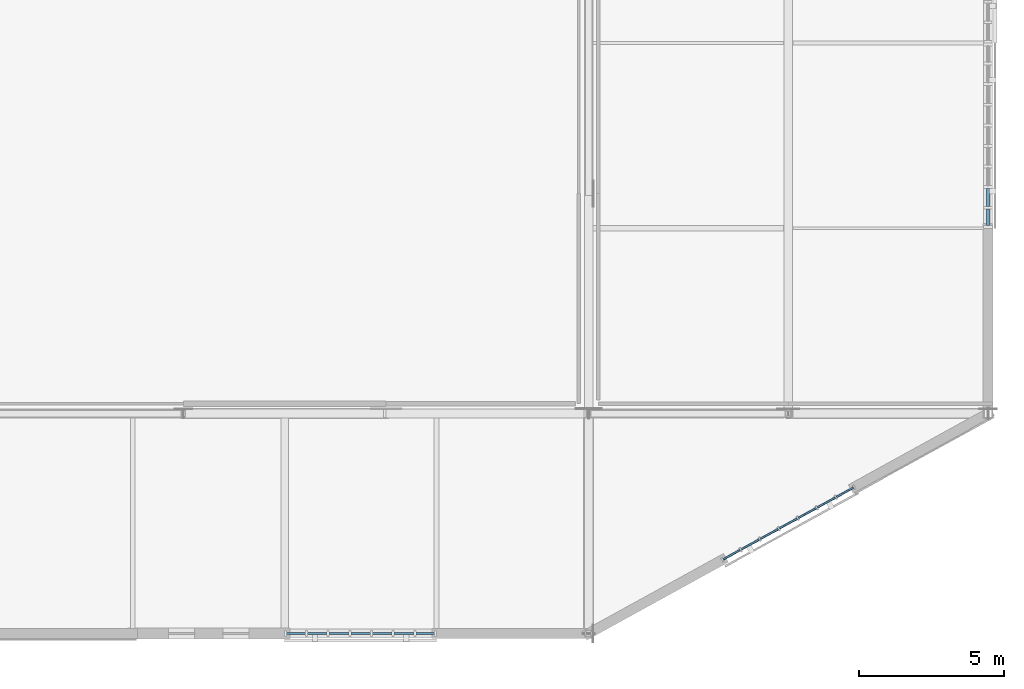
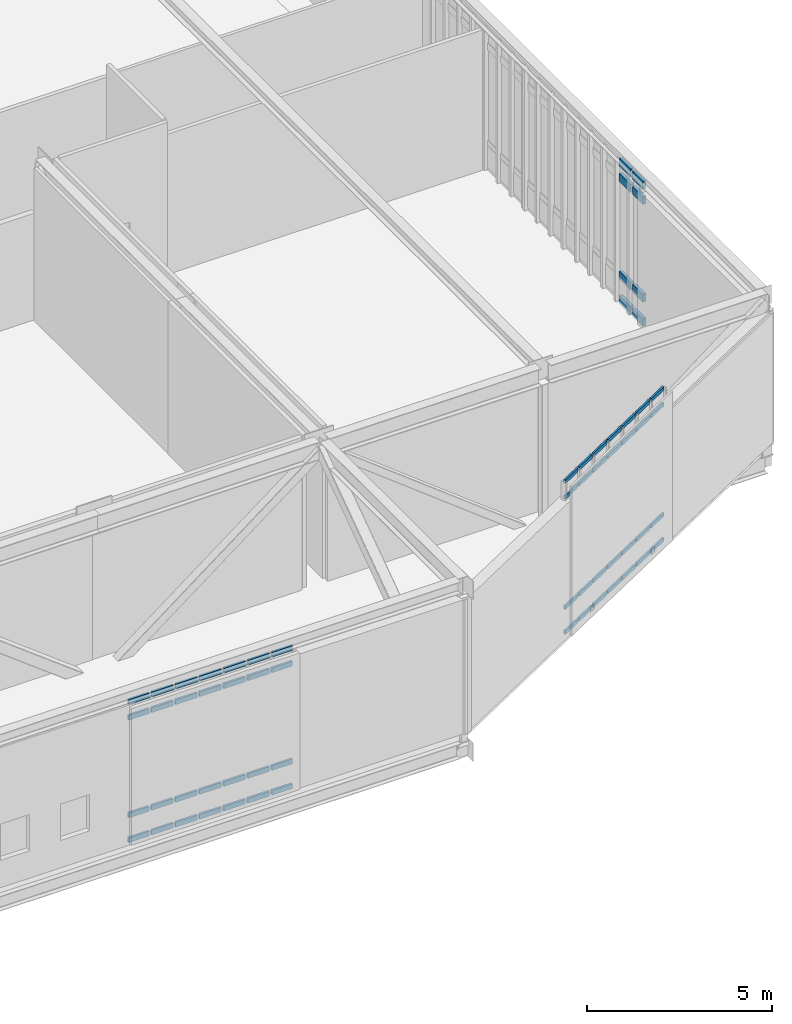
# One storey, part 63 of 135: 64 members, 3 elements without a shape of their own.
"""IFC4 building model written with IfcOpenShell, lengths in metres."""

from ifc_helpers import new_model, si_unit, direction, frame, origin, origin_2d, place, context, subcontext, project, spatial, rectangle, extrude, material, material_profile, profile_set, type_object, element, aggregate, save


model = new_model("IFC4")

# Units and contexts
model_context = context("Model", 3, precision=1e-05, world=origin(), true_north=direction((0.0, 1.0)))
body_context = subcontext(model_context, "Body", "Model", "MODEL_VIEW")
ifc_project = project(units=[si_unit("LENGTHUNIT", "METRE"), si_unit("AREAUNIT", "SQUARE_METRE"), si_unit("VOLUMEUNIT", "CUBIC_METRE"), si_unit("PLANEANGLEUNIT", "RADIAN"), si_unit("MASSUNIT", "GRAM", prefix="KILO")], contexts=[model_context])

# Site, building, storey
site_placement = place(None, origin())
site = spatial("IfcSite", under=ifc_project, at=site_placement, CompositionType="ELEMENT")
building_placement = place(site_placement, origin())
building = spatial("IfcBuilding", under=site, at=building_placement, Name="Larkvane Passage Sports Hall", CompositionType="ELEMENT")
storey_placement = place(building_placement, frame((0.0, 0.0, 16.800048828125)))
storey = spatial("IfcBuildingStorey", under=building, at=storey_placement, Name="L03", CompositionType="ELEMENT", Elevation=16.800048828125)

# Curtain wall, members
ifc_material_1 = material(Name="Thermally broken aluminium and low-E glazing", Category="aluminium")
curtain_wall_type_1 = type_object("IfcCurtainWallType", Name="CW-CLINIC", PredefinedType="USERDEFINED", material=ifc_material_1)
curtain_wall_1_placement = place(storey_placement, origin())
curtain_wall_1 = element("IfcCurtainWall", 1, at=curtain_wall_1_placement, inside=storey, type_object=curtain_wall_type_1, Name="Curtain wall CW5-L03-115", ObjectType="UNITISED CURTAIN WALL", PredefinedType="USERDEFINED")
ifc_material_2 = material(Name="Anodised aluminium 6063-T6", Category="aluminium")
ifc_material_profile_1 = material_profile(ifc_material_2, rectangle(XDim=0.10009765625, YDim=0.260009765625, at=origin_2d()), Name="ALU-TRN-100x260")
ifc_profile_set_1 = profile_set([ifc_material_profile_1], Name="Anodised aluminium 6063-T6")
member_type_1 = type_object("IfcMemberType", Name="CW-TRN-100x260", PredefinedType="USERDEFINED", material=ifc_profile_set_1)
member_1_placement = place(storey_placement, frame((166.39990234375, 15.372314453125, 0.050048828125), z_axis=(0.0, -1.0, 0.0), x_axis=(1.0, 0.0, 0.0)))
member_1 = element("IfcMember", 2, at=member_1_placement, type_object=member_type_1, Name="CW-05 transom 8.1", ObjectType="TRANSOM", PredefinedType="USERDEFINED", context=body_context, shape_type="SweptSolid", body=[
    extrude(rectangle(XDim=0.10009765625, YDim=0.260009765625, at=origin_2d()), origin(), (0.0, 0.0, 1.0), 0.611083984375),
])
member_2_placement = place(storey_placement, frame((166.39990234375, 15.372314453125, 0.849853515625), z_axis=(0.0, -1.0, 0.0), x_axis=(1.0, 0.0, 0.0)))
member_2 = element("IfcMember", 3, at=member_2_placement, type_object=member_type_1, Name="CW-05 transom 8.2", ObjectType="TRANSOM", PredefinedType="USERDEFINED", context=body_context, shape_type="SweptSolid", body=[
    extrude(rectangle(XDim=0.10009765625, YDim=0.260009765625, at=origin_2d()), origin(), (0.0, 0.0, 1.0), 0.611083984375),
])
member_3_placement = place(storey_placement, frame((166.39990234375, 15.372314453125, 4.06787109375), z_axis=(0.0, -1.0, 0.0), x_axis=(1.0, 0.0, 0.0)))
member_3 = element("IfcMember", 4, at=member_3_placement, type_object=member_type_1, Name="CW-05 transom 8.3", ObjectType="TRANSOM", PredefinedType="USERDEFINED", context=body_context, shape_type="SweptSolid", body=[
    extrude(rectangle(XDim=0.10009765625, YDim=0.260009765625, at=origin_2d()), origin(), (0.0, 0.0, 1.0), 0.611083984375),
])
member_4_placement = place(storey_placement, frame((166.39990234375, 15.372314453125, 4.56787109375), z_axis=(0.0, -1.0, 0.0), x_axis=(1.0, 0.0, 0.0)))
member_4 = element("IfcMember", 5, at=member_4_placement, type_object=member_type_1, Name="CW-05 transom 8.4", ObjectType="TRANSOM", PredefinedType="USERDEFINED", context=body_context, shape_type="SweptSolid", body=[
    extrude(rectangle(XDim=0.10009765625, YDim=0.260009765625, at=origin_2d()), origin(), (0.0, 0.0, 1.0), 0.611083984375),
])
member_5_placement = place(storey_placement, frame((166.39990234375, 14.6611328125, 0.050048828125), z_axis=(0.0, -1.0, 0.0), x_axis=(1.0, 0.0, 0.0)))
member_5 = element("IfcMember", 6, at=member_5_placement, type_object=member_type_1, Name="CW-05 transom 9.1", ObjectType="TRANSOM", PredefinedType="USERDEFINED", context=body_context, shape_type="SweptSolid", body=[
    extrude(rectangle(XDim=0.10009765625, YDim=0.260009765625, at=origin_2d()), origin(), (0.0, 0.0, 1.0), 0.56103515625),
])
member_6_placement = place(storey_placement, frame((166.39990234375, 14.6611328125, 0.849853515625), z_axis=(0.0, -1.0, 0.0), x_axis=(1.0, 0.0, 0.0)))
member_6 = element("IfcMember", 7, at=member_6_placement, type_object=member_type_1, Name="CW-05 transom 9.2", ObjectType="TRANSOM", PredefinedType="USERDEFINED", context=body_context, shape_type="SweptSolid", body=[
    extrude(rectangle(XDim=0.10009765625, YDim=0.260009765625, at=origin_2d()), origin(), (0.0, 0.0, 1.0), 0.56103515625),
])
member_7_placement = place(storey_placement, frame((166.39990234375, 14.6611328125, 4.06787109375), z_axis=(0.0, -1.0, 0.0), x_axis=(1.0, 0.0, 0.0)))
member_7 = element("IfcMember", 8, at=member_7_placement, type_object=member_type_1, Name="CW-05 transom 9.3", ObjectType="TRANSOM", PredefinedType="USERDEFINED", context=body_context, shape_type="SweptSolid", body=[
    extrude(rectangle(XDim=0.10009765625, YDim=0.260009765625, at=origin_2d()), origin(), (0.0, 0.0, 1.0), 0.56103515625),
])
member_8_placement = place(storey_placement, frame((166.39990234375, 14.6611328125, 4.56787109375), z_axis=(0.0, -1.0, 0.0), x_axis=(1.0, 0.0, 0.0)))
member_8 = element("IfcMember", 9, at=member_8_placement, type_object=member_type_1, Name="CW-05 transom 9.4", ObjectType="TRANSOM", PredefinedType="USERDEFINED", context=body_context, shape_type="SweptSolid", body=[
    extrude(rectangle(XDim=0.10009765625, YDim=0.260009765625, at=origin_2d()), origin(), (0.0, 0.0, 1.0), 0.56103515625),
])
aggregate(curtain_wall_1, [member_1, member_2, member_3, member_4, member_5, member_6, member_7, member_8])

curtain_wall_type_2 = type_object("IfcCurtainWallType", Name="CW-UNIT-COURT", PredefinedType="USERDEFINED", material=ifc_material_1)
curtain_wall_2_placement = place(storey_placement, origin())
curtain_wall_2 = element("IfcCurtainWall", 10, at=curtain_wall_2_placement, inside=storey, type_object=curtain_wall_type_2, Name="Curtain wall CW5-L03-116", ObjectType="UNITISED CURTAIN WALL", PredefinedType="USERDEFINED")
ifc_material_profile_2 = material_profile(ifc_material_2, rectangle(XDim=0.06005859375, YDim=0.1201171875, at=origin_2d()), Name="ALU-TRN-60x120")
ifc_profile_set_2 = profile_set([ifc_material_profile_2], Name="Anodised aluminium 6063-T6")
member_type_2 = type_object("IfcMemberType", Name="CW-TRN-60x120", PredefinedType="USERDEFINED", material=ifc_profile_set_2)
member_9_placement = place(storey_placement, frame((161.74755859375, 5.037841796875, 0.030029296875), z_axis=(-0.875895659325, -0.482500563706, 0.0), x_axis=(0.482500563706, -0.875895659325, 0.0)))
member_9 = element("IfcMember", 11, at=member_9_placement, type_object=member_type_2, Name="CW-01 transom 1.1", ObjectType="TRANSOM", PredefinedType="USERDEFINED", context=body_context, shape_type="SweptSolid", body=[
    extrude(rectangle(XDim=0.06005859375, YDim=0.1201171875, at=origin_2d()), origin(), (0.0, 0.0, 1.0), 0.660400390625),
])
member_10_placement = place(storey_placement, frame((161.74755859375, 5.037841796875, 0.849853515625), z_axis=(-0.875895659325, -0.482500563706, 0.0), x_axis=(0.482500563706, -0.875895659325, 0.0)))
member_10 = element("IfcMember", 12, at=member_10_placement, type_object=member_type_2, Name="CW-01 transom 1.2", ObjectType="TRANSOM", PredefinedType="USERDEFINED", context=body_context, shape_type="SweptSolid", body=[
    extrude(rectangle(XDim=0.06005859375, YDim=0.1201171875, at=origin_2d()), origin(), (0.0, 0.0, 1.0), 0.660400390625),
])
member_11_placement = place(storey_placement, frame((161.74755859375, 5.037841796875, 4.47998046875), z_axis=(-0.875895659325, -0.482500563706, 0.0), x_axis=(0.482500563706, -0.875895659325, 0.0)))
member_11 = element("IfcMember", 13, at=member_11_placement, type_object=member_type_2, Name="CW-01 transom 1.3", ObjectType="TRANSOM", PredefinedType="USERDEFINED", context=body_context, shape_type="SweptSolid", body=[
    extrude(rectangle(XDim=0.06005859375, YDim=0.1201171875, at=origin_2d()), origin(), (0.0, 0.0, 1.0), 0.660400390625),
])
member_12_placement = place(storey_placement, frame((161.74755859375, 5.037841796875, 5.0), z_axis=(-0.875895659325, -0.482500563706, 0.0), x_axis=(0.482500563706, -0.875895659325, 0.0)))
member_12 = element("IfcMember", 14, at=member_12_placement, type_object=member_type_2, Name="CW-01 transom 1.4", ObjectType="TRANSOM", PredefinedType="USERDEFINED", context=body_context, shape_type="SweptSolid", body=[
    extrude(rectangle(XDim=0.06005859375, YDim=0.1201171875, at=origin_2d()), origin(), (0.0, 0.0, 1.0), 0.660400390625),
])
member_13_placement = place(storey_placement, frame((161.11669921875, 4.6904296875, 0.030029296875), z_axis=(-0.875969399187, -0.482366677631, 0.0), x_axis=(0.482366677631, -0.875969399187, 0.0)))
member_13 = element("IfcMember", 15, at=member_13_placement, type_object=member_type_2, Name="CW-01 transom 2.1", ObjectType="TRANSOM", PredefinedType="USERDEFINED", context=body_context, shape_type="SweptSolid", body=[
    extrude(rectangle(XDim=0.06005859375, YDim=0.1201171875, at=origin_2d()), origin(), (0.0, 0.0, 1.0), 0.6904296875),
])
member_14_placement = place(storey_placement, frame((161.11669921875, 4.6904296875, 0.849853515625), z_axis=(-0.875969399187, -0.482366677631, 0.0), x_axis=(0.482366677631, -0.875969399187, 0.0)))
member_14 = element("IfcMember", 16, at=member_14_placement, type_object=member_type_2, Name="CW-01 transom 2.2", ObjectType="TRANSOM", PredefinedType="USERDEFINED", context=body_context, shape_type="SweptSolid", body=[
    extrude(rectangle(XDim=0.06005859375, YDim=0.1201171875, at=origin_2d()), origin(), (0.0, 0.0, 1.0), 0.6904296875),
])
member_15_placement = place(storey_placement, frame((161.11669921875, 4.6904296875, 4.47998046875), z_axis=(-0.875969399187, -0.482366677631, 0.0), x_axis=(0.482366677631, -0.875969399187, 0.0)))
member_15 = element("IfcMember", 17, at=member_15_placement, type_object=member_type_2, Name="CW-01 transom 2.3", ObjectType="TRANSOM", PredefinedType="USERDEFINED", context=body_context, shape_type="SweptSolid", body=[
    extrude(rectangle(XDim=0.06005859375, YDim=0.1201171875, at=origin_2d()), origin(), (0.0, 0.0, 1.0), 0.6904296875),
])
member_16_placement = place(storey_placement, frame((161.11669921875, 4.6904296875, 5.0), z_axis=(-0.875969399187, -0.482366677631, 0.0), x_axis=(0.482366677631, -0.875969399187, 0.0)))
member_16 = element("IfcMember", 18, at=member_16_placement, type_object=member_type_2, Name="CW-01 transom 2.4", ObjectType="TRANSOM", PredefinedType="USERDEFINED", context=body_context, shape_type="SweptSolid", body=[
    extrude(rectangle(XDim=0.06005859375, YDim=0.1201171875, at=origin_2d()), origin(), (0.0, 0.0, 1.0), 0.6904296875),
])
member_17_placement = place(storey_placement, frame((160.45947265625, 4.328369140625, 0.030029296875), z_axis=(-0.875969399187, -0.482366677631, 0.0), x_axis=(0.482366677631, -0.875969399187, 0.0)))
member_17 = element("IfcMember", 19, at=member_17_placement, type_object=member_type_2, Name="CW-01 transom 3.1", ObjectType="TRANSOM", PredefinedType="USERDEFINED", context=body_context, shape_type="SweptSolid", body=[
    extrude(rectangle(XDim=0.06005859375, YDim=0.1201171875, at=origin_2d()), origin(), (0.0, 0.0, 1.0), 0.6904296875),
])
member_18_placement = place(storey_placement, frame((160.45947265625, 4.328369140625, 0.849853515625), z_axis=(-0.875969399187, -0.482366677631, 0.0), x_axis=(0.482366677631, -0.875969399187, 0.0)))
member_18 = element("IfcMember", 20, at=member_18_placement, type_object=member_type_2, Name="CW-01 transom 3.2", ObjectType="TRANSOM", PredefinedType="USERDEFINED", context=body_context, shape_type="SweptSolid", body=[
    extrude(rectangle(XDim=0.06005859375, YDim=0.1201171875, at=origin_2d()), origin(), (0.0, 0.0, 1.0), 0.6904296875),
])
member_19_placement = place(storey_placement, frame((160.45947265625, 4.328369140625, 4.47998046875), z_axis=(-0.875969399187, -0.482366677631, 0.0), x_axis=(0.482366677631, -0.875969399187, 0.0)))
member_19 = element("IfcMember", 21, at=member_19_placement, type_object=member_type_2, Name="CW-01 transom 3.3", ObjectType="TRANSOM", PredefinedType="USERDEFINED", context=body_context, shape_type="SweptSolid", body=[
    extrude(rectangle(XDim=0.06005859375, YDim=0.1201171875, at=origin_2d()), origin(), (0.0, 0.0, 1.0), 0.6904296875),
])
member_20_placement = place(storey_placement, frame((160.45947265625, 4.328369140625, 5.0), z_axis=(-0.875969399187, -0.482366677631, 0.0), x_axis=(0.482366677631, -0.875969399187, 0.0)))
member_20 = element("IfcMember", 22, at=member_20_placement, type_object=member_type_2, Name="CW-01 transom 3.4", ObjectType="TRANSOM", PredefinedType="USERDEFINED", context=body_context, shape_type="SweptSolid", body=[
    extrude(rectangle(XDim=0.06005859375, YDim=0.1201171875, at=origin_2d()), origin(), (0.0, 0.0, 1.0), 0.6904296875),
])
member_21_placement = place(storey_placement, frame((159.80224609375, 3.966552734375, 0.030029296875), z_axis=(-0.875887076534, -0.482516143939, 0.0), x_axis=(0.482516143939, -0.875887076534, 0.0)))
member_21 = element("IfcMember", 23, at=member_21_placement, type_object=member_type_2, Name="CW-01 transom 4.1", ObjectType="TRANSOM", PredefinedType="USERDEFINED", context=body_context, shape_type="SweptSolid", body=[
    extrude(rectangle(XDim=0.06005859375, YDim=0.1201171875, at=origin_2d()), origin(), (0.0, 0.0, 1.0), 0.690185546875),
])
member_22_placement = place(storey_placement, frame((159.80224609375, 3.966552734375, 0.849853515625), z_axis=(-0.875887076534, -0.482516143939, 0.0), x_axis=(0.482516143939, -0.875887076534, 0.0)))
member_22 = element("IfcMember", 24, at=member_22_placement, type_object=member_type_2, Name="CW-01 transom 4.2", ObjectType="TRANSOM", PredefinedType="USERDEFINED", context=body_context, shape_type="SweptSolid", body=[
    extrude(rectangle(XDim=0.06005859375, YDim=0.1201171875, at=origin_2d()), origin(), (0.0, 0.0, 1.0), 0.690185546875),
])
member_23_placement = place(storey_placement, frame((159.80224609375, 3.966552734375, 4.47998046875), z_axis=(-0.875887076534, -0.482516143939, 0.0), x_axis=(0.482516143939, -0.875887076534, 0.0)))
member_23 = element("IfcMember", 25, at=member_23_placement, type_object=member_type_2, Name="CW-01 transom 4.3", ObjectType="TRANSOM", PredefinedType="USERDEFINED", context=body_context, shape_type="SweptSolid", body=[
    extrude(rectangle(XDim=0.06005859375, YDim=0.1201171875, at=origin_2d()), origin(), (0.0, 0.0, 1.0), 0.690185546875),
])
member_24_placement = place(storey_placement, frame((159.80224609375, 3.966552734375, 5.0), z_axis=(-0.875887076534, -0.482516143939, 0.0), x_axis=(0.482516143939, -0.875887076534, 0.0)))
member_24 = element("IfcMember", 26, at=member_24_placement, type_object=member_type_2, Name="CW-01 transom 4.4", ObjectType="TRANSOM", PredefinedType="USERDEFINED", context=body_context, shape_type="SweptSolid", body=[
    extrude(rectangle(XDim=0.06005859375, YDim=0.1201171875, at=origin_2d()), origin(), (0.0, 0.0, 1.0), 0.690185546875),
])
member_25_placement = place(storey_placement, frame((159.145263671875, 3.6044921875, 0.030029296875), z_axis=(-0.875969399187, -0.482366677631, 0.0), x_axis=(0.482366677631, -0.875969399187, 0.0)))
member_25 = element("IfcMember", 27, at=member_25_placement, type_object=member_type_2, Name="CW-01 transom 5.1", ObjectType="TRANSOM", PredefinedType="USERDEFINED", context=body_context, shape_type="SweptSolid", body=[
    extrude(rectangle(XDim=0.06005859375, YDim=0.1201171875, at=origin_2d()), origin(), (0.0, 0.0, 1.0), 0.6904296875),
])
member_26_placement = place(storey_placement, frame((159.145263671875, 3.6044921875, 0.849853515625), z_axis=(-0.875969399187, -0.482366677631, 0.0), x_axis=(0.482366677631, -0.875969399187, 0.0)))
member_26 = element("IfcMember", 28, at=member_26_placement, type_object=member_type_2, Name="CW-01 transom 5.2", ObjectType="TRANSOM", PredefinedType="USERDEFINED", context=body_context, shape_type="SweptSolid", body=[
    extrude(rectangle(XDim=0.06005859375, YDim=0.1201171875, at=origin_2d()), origin(), (0.0, 0.0, 1.0), 0.6904296875),
])
member_27_placement = place(storey_placement, frame((159.145263671875, 3.6044921875, 4.47998046875), z_axis=(-0.875969399187, -0.482366677631, 0.0), x_axis=(0.482366677631, -0.875969399187, 0.0)))
member_27 = element("IfcMember", 29, at=member_27_placement, type_object=member_type_2, Name="CW-01 transom 5.3", ObjectType="TRANSOM", PredefinedType="USERDEFINED", context=body_context, shape_type="SweptSolid", body=[
    extrude(rectangle(XDim=0.06005859375, YDim=0.1201171875, at=origin_2d()), origin(), (0.0, 0.0, 1.0), 0.6904296875),
])
member_28_placement = place(storey_placement, frame((159.145263671875, 3.6044921875, 5.0), z_axis=(-0.875969399187, -0.482366677631, 0.0), x_axis=(0.482366677631, -0.875969399187, 0.0)))
member_28 = element("IfcMember", 30, at=member_28_placement, type_object=member_type_2, Name="CW-01 transom 5.4", ObjectType="TRANSOM", PredefinedType="USERDEFINED", context=body_context, shape_type="SweptSolid", body=[
    extrude(rectangle(XDim=0.06005859375, YDim=0.1201171875, at=origin_2d()), origin(), (0.0, 0.0, 1.0), 0.6904296875),
])
member_29_placement = place(storey_placement, frame((158.488037109375, 3.24267578125, 0.030029296875), z_axis=(-0.875969399187, -0.482366677631, 0.0), x_axis=(0.482366677631, -0.875969399187, 0.0)))
member_29 = element("IfcMember", 31, at=member_29_placement, type_object=member_type_2, Name="CW-01 transom 6.1", ObjectType="TRANSOM", PredefinedType="USERDEFINED", context=body_context, shape_type="SweptSolid", body=[
    extrude(rectangle(XDim=0.06005859375, YDim=0.1201171875, at=origin_2d()), origin(), (0.0, 0.0, 1.0), 0.6904296875),
])
member_30_placement = place(storey_placement, frame((158.488037109375, 3.24267578125, 0.849853515625), z_axis=(-0.875969399187, -0.482366677631, 0.0), x_axis=(0.482366677631, -0.875969399187, 0.0)))
member_30 = element("IfcMember", 32, at=member_30_placement, type_object=member_type_2, Name="CW-01 transom 6.2", ObjectType="TRANSOM", PredefinedType="USERDEFINED", context=body_context, shape_type="SweptSolid", body=[
    extrude(rectangle(XDim=0.06005859375, YDim=0.1201171875, at=origin_2d()), origin(), (0.0, 0.0, 1.0), 0.6904296875),
])
member_31_placement = place(storey_placement, frame((158.488037109375, 3.24267578125, 4.47998046875), z_axis=(-0.875969399187, -0.482366677631, 0.0), x_axis=(0.482366677631, -0.875969399187, 0.0)))
member_31 = element("IfcMember", 33, at=member_31_placement, type_object=member_type_2, Name="CW-01 transom 6.3", ObjectType="TRANSOM", PredefinedType="USERDEFINED", context=body_context, shape_type="SweptSolid", body=[
    extrude(rectangle(XDim=0.06005859375, YDim=0.1201171875, at=origin_2d()), origin(), (0.0, 0.0, 1.0), 0.6904296875),
])
member_32_placement = place(storey_placement, frame((158.488037109375, 3.24267578125, 5.0), z_axis=(-0.875969399187, -0.482366677631, 0.0), x_axis=(0.482366677631, -0.875969399187, 0.0)))
member_32 = element("IfcMember", 34, at=member_32_placement, type_object=member_type_2, Name="CW-01 transom 6.4", ObjectType="TRANSOM", PredefinedType="USERDEFINED", context=body_context, shape_type="SweptSolid", body=[
    extrude(rectangle(XDim=0.06005859375, YDim=0.1201171875, at=origin_2d()), origin(), (0.0, 0.0, 1.0), 0.6904296875),
])
member_33_placement = place(storey_placement, frame((157.830810546875, 2.880859375, 0.030029296875), z_axis=(-0.875895659325, -0.482500563706, 0.0), x_axis=(0.482500563706, -0.875895659325, 0.0)))
member_33 = element("IfcMember", 35, at=member_33_placement, type_object=member_type_2, Name="CW-01 transom 7.1", ObjectType="TRANSOM", PredefinedType="USERDEFINED", context=body_context, shape_type="SweptSolid", body=[
    extrude(rectangle(XDim=0.06005859375, YDim=0.1201171875, at=origin_2d()), origin(), (0.0, 0.0, 1.0), 0.660400390625),
])
member_34_placement = place(storey_placement, frame((157.830810546875, 2.880859375, 0.849853515625), z_axis=(-0.875895659325, -0.482500563706, 0.0), x_axis=(0.482500563706, -0.875895659325, 0.0)))
member_34 = element("IfcMember", 36, at=member_34_placement, type_object=member_type_2, Name="CW-01 transom 7.2", ObjectType="TRANSOM", PredefinedType="USERDEFINED", context=body_context, shape_type="SweptSolid", body=[
    extrude(rectangle(XDim=0.06005859375, YDim=0.1201171875, at=origin_2d()), origin(), (0.0, 0.0, 1.0), 0.660400390625),
])
member_35_placement = place(storey_placement, frame((157.830810546875, 2.880859375, 4.47998046875), z_axis=(-0.875895659325, -0.482500563706, 0.0), x_axis=(0.482500563706, -0.875895659325, 0.0)))
member_35 = element("IfcMember", 37, at=member_35_placement, type_object=member_type_2, Name="CW-01 transom 7.3", ObjectType="TRANSOM", PredefinedType="USERDEFINED", context=body_context, shape_type="SweptSolid", body=[
    extrude(rectangle(XDim=0.06005859375, YDim=0.1201171875, at=origin_2d()), origin(), (0.0, 0.0, 1.0), 0.660400390625),
])
member_36_placement = place(storey_placement, frame((157.830810546875, 2.880859375, 5.0), z_axis=(-0.875895659325, -0.482500563706, 0.0), x_axis=(0.482500563706, -0.875895659325, 0.0)))
member_36 = element("IfcMember", 38, at=member_36_placement, type_object=member_type_2, Name="CW-01 transom 7.4", ObjectType="TRANSOM", PredefinedType="USERDEFINED", context=body_context, shape_type="SweptSolid", body=[
    extrude(rectangle(XDim=0.06005859375, YDim=0.1201171875, at=origin_2d()), origin(), (0.0, 0.0, 1.0), 0.660400390625),
])
aggregate(curtain_wall_2, [member_9, member_10, member_11, member_12, member_13, member_14, member_15, member_16, member_17, member_18, member_19, member_20, member_21, member_22, member_23, member_24, member_25, member_26, member_27, member_28, member_29, member_30, member_31, member_32, member_33, member_34, member_35, member_36])

curtain_wall_type_3 = type_object("IfcCurtainWallType", Name="CW-UNIT-VEIL", PredefinedType="USERDEFINED", material=ifc_material_1)
curtain_wall_3_placement = place(storey_placement, origin())
curtain_wall_3 = element("IfcCurtainWall", 39, at=curtain_wall_3_placement, inside=storey, type_object=curtain_wall_type_3, Name="Curtain wall CW5-L03-117", ObjectType="UNITISED CURTAIN WALL", PredefinedType="USERDEFINED")
ifc_material_profile_3 = material_profile(ifc_material_2, rectangle(XDim=0.070068359375, YDim=0.159912109375, at=origin_2d()), Name="ALU-TRN-70x160")
ifc_profile_set_3 = profile_set([ifc_material_profile_3], Name="Anodised aluminium 6063-T6")
member_type_3 = type_object("IfcMemberType", Name="CW-TRN-70x160", PredefinedType="USERDEFINED", material=ifc_profile_set_3)
member_37_placement = place(storey_placement, frame((147.280029296875, 0.0, 0.034912109375), z_axis=(-1.0, 0.0, 0.0), x_axis=(0.0, -1.0, 0.0)))
member_37 = element("IfcMember", 40, at=member_37_placement, type_object=member_type_3, Name="CW-02 transom 1.1", ObjectType="TRANSOM", PredefinedType="USERDEFINED", context=body_context, shape_type="SweptSolid", body=[
    extrude(rectangle(XDim=0.070068359375, YDim=0.159912109375, at=origin_2d()), origin(), (0.0, 0.0, 1.0), 0.64501953125),
])
member_38_placement = place(storey_placement, frame((147.280029296875, 0.0, 0.849853515625), z_axis=(-1.0, 0.0, 0.0), x_axis=(0.0, -1.0, 0.0)))
member_38 = element("IfcMember", 41, at=member_38_placement, type_object=member_type_3, Name="CW-02 transom 1.2", ObjectType="TRANSOM", PredefinedType="USERDEFINED", context=body_context, shape_type="SweptSolid", body=[
    extrude(rectangle(XDim=0.070068359375, YDim=0.159912109375, at=origin_2d()), origin(), (0.0, 0.0, 1.0), 0.64501953125),
])
member_39_placement = place(storey_placement, frame((147.280029296875, 0.0, 4.06787109375), z_axis=(-1.0, 0.0, 0.0), x_axis=(0.0, -1.0, 0.0)))
member_39 = element("IfcMember", 42, at=member_39_placement, type_object=member_type_3, Name="CW-02 transom 1.3", ObjectType="TRANSOM", PredefinedType="USERDEFINED", context=body_context, shape_type="SweptSolid", body=[
    extrude(rectangle(XDim=0.070068359375, YDim=0.159912109375, at=origin_2d()), origin(), (0.0, 0.0, 1.0), 0.64501953125),
])
member_40_placement = place(storey_placement, frame((147.280029296875, 0.0, 4.5830078125), z_axis=(-1.0, 0.0, 0.0), x_axis=(0.0, -1.0, 0.0)))
member_40 = element("IfcMember", 43, at=member_40_placement, type_object=member_type_3, Name="CW-02 transom 1.4", ObjectType="TRANSOM", PredefinedType="USERDEFINED", context=body_context, shape_type="SweptSolid", body=[
    extrude(rectangle(XDim=0.070068359375, YDim=0.159912109375, at=origin_2d()), origin(), (0.0, 0.0, 1.0), 0.64501953125),
])
member_41_placement = place(storey_placement, frame((146.56494140625, 0.0, 0.034912109375), z_axis=(-1.0, 0.0, 0.0), x_axis=(0.0, -1.0, 0.0)))
member_41 = element("IfcMember", 44, at=member_41_placement, type_object=member_type_3, Name="CW-02 transom 2.1", ObjectType="TRANSOM", PredefinedType="USERDEFINED", context=body_context, shape_type="SweptSolid", body=[
    extrude(rectangle(XDim=0.070068359375, YDim=0.159912109375, at=origin_2d()), origin(), (0.0, 0.0, 1.0), 0.679931640625),
])
member_42_placement = place(storey_placement, frame((146.56494140625, 0.0, 0.849853515625), z_axis=(-1.0, 0.0, 0.0), x_axis=(0.0, -1.0, 0.0)))
member_42 = element("IfcMember", 45, at=member_42_placement, type_object=member_type_3, Name="CW-02 transom 2.2", ObjectType="TRANSOM", PredefinedType="USERDEFINED", context=body_context, shape_type="SweptSolid", body=[
    extrude(rectangle(XDim=0.070068359375, YDim=0.159912109375, at=origin_2d()), origin(), (0.0, 0.0, 1.0), 0.679931640625),
])
member_43_placement = place(storey_placement, frame((146.56494140625, 0.0, 4.06787109375), z_axis=(-1.0, 0.0, 0.0), x_axis=(0.0, -1.0, 0.0)))
member_43 = element("IfcMember", 46, at=member_43_placement, type_object=member_type_3, Name="CW-02 transom 2.3", ObjectType="TRANSOM", PredefinedType="USERDEFINED", context=body_context, shape_type="SweptSolid", body=[
    extrude(rectangle(XDim=0.070068359375, YDim=0.159912109375, at=origin_2d()), origin(), (0.0, 0.0, 1.0), 0.679931640625),
])
member_44_placement = place(storey_placement, frame((146.56494140625, 0.0, 4.5830078125), z_axis=(-1.0, 0.0, 0.0), x_axis=(0.0, -1.0, 0.0)))
member_44 = element("IfcMember", 47, at=member_44_placement, type_object=member_type_3, Name="CW-02 transom 2.4", ObjectType="TRANSOM", PredefinedType="USERDEFINED", context=body_context, shape_type="SweptSolid", body=[
    extrude(rectangle(XDim=0.070068359375, YDim=0.159912109375, at=origin_2d()), origin(), (0.0, 0.0, 1.0), 0.679931640625),
])
member_45_placement = place(storey_placement, frame((145.81494140625, 0.0, 0.034912109375), z_axis=(-1.0, 0.0, 0.0), x_axis=(0.0, -1.0, 0.0)))
member_45 = element("IfcMember", 48, at=member_45_placement, type_object=member_type_3, Name="CW-02 transom 3.1", ObjectType="TRANSOM", PredefinedType="USERDEFINED", context=body_context, shape_type="SweptSolid", body=[
    extrude(rectangle(XDim=0.070068359375, YDim=0.159912109375, at=origin_2d()), origin(), (0.0, 0.0, 1.0), 0.679931640625),
])
member_46_placement = place(storey_placement, frame((145.81494140625, 0.0, 0.849853515625), z_axis=(-1.0, 0.0, 0.0), x_axis=(0.0, -1.0, 0.0)))
member_46 = element("IfcMember", 49, at=member_46_placement, type_object=member_type_3, Name="CW-02 transom 3.2", ObjectType="TRANSOM", PredefinedType="USERDEFINED", context=body_context, shape_type="SweptSolid", body=[
    extrude(rectangle(XDim=0.070068359375, YDim=0.159912109375, at=origin_2d()), origin(), (0.0, 0.0, 1.0), 0.679931640625),
])
member_47_placement = place(storey_placement, frame((145.81494140625, 0.0, 4.06787109375), z_axis=(-1.0, 0.0, 0.0), x_axis=(0.0, -1.0, 0.0)))
member_47 = element("IfcMember", 50, at=member_47_placement, type_object=member_type_3, Name="CW-02 transom 3.3", ObjectType="TRANSOM", PredefinedType="USERDEFINED", context=body_context, shape_type="SweptSolid", body=[
    extrude(rectangle(XDim=0.070068359375, YDim=0.159912109375, at=origin_2d()), origin(), (0.0, 0.0, 1.0), 0.679931640625),
])
member_48_placement = place(storey_placement, frame((145.81494140625, 0.0, 4.5830078125), z_axis=(-1.0, 0.0, 0.0), x_axis=(0.0, -1.0, 0.0)))
member_48 = element("IfcMember", 51, at=member_48_placement, type_object=member_type_3, Name="CW-02 transom 3.4", ObjectType="TRANSOM", PredefinedType="USERDEFINED", context=body_context, shape_type="SweptSolid", body=[
    extrude(rectangle(XDim=0.070068359375, YDim=0.159912109375, at=origin_2d()), origin(), (0.0, 0.0, 1.0), 0.679931640625),
])
member_49_placement = place(storey_placement, frame((145.06494140625, 0.0, 0.034912109375), z_axis=(-1.0, 0.0, 0.0), x_axis=(0.0, -1.0, 0.0)))
member_49 = element("IfcMember", 52, at=member_49_placement, type_object=member_type_3, Name="CW-02 transom 4.1", ObjectType="TRANSOM", PredefinedType="USERDEFINED", context=body_context, shape_type="SweptSolid", body=[
    extrude(rectangle(XDim=0.070068359375, YDim=0.159912109375, at=origin_2d()), origin(), (0.0, 0.0, 1.0), 0.679931640625),
])
member_50_placement = place(storey_placement, frame((145.06494140625, 0.0, 0.849853515625), z_axis=(-1.0, 0.0, 0.0), x_axis=(0.0, -1.0, 0.0)))
member_50 = element("IfcMember", 53, at=member_50_placement, type_object=member_type_3, Name="CW-02 transom 4.2", ObjectType="TRANSOM", PredefinedType="USERDEFINED", context=body_context, shape_type="SweptSolid", body=[
    extrude(rectangle(XDim=0.070068359375, YDim=0.159912109375, at=origin_2d()), origin(), (0.0, 0.0, 1.0), 0.679931640625),
])
member_51_placement = place(storey_placement, frame((145.06494140625, 0.0, 4.06787109375), z_axis=(-1.0, 0.0, 0.0), x_axis=(0.0, -1.0, 0.0)))
member_51 = element("IfcMember", 54, at=member_51_placement, type_object=member_type_3, Name="CW-02 transom 4.3", ObjectType="TRANSOM", PredefinedType="USERDEFINED", context=body_context, shape_type="SweptSolid", body=[
    extrude(rectangle(XDim=0.070068359375, YDim=0.159912109375, at=origin_2d()), origin(), (0.0, 0.0, 1.0), 0.679931640625),
])
member_52_placement = place(storey_placement, frame((145.06494140625, 0.0, 4.5830078125), z_axis=(-1.0, 0.0, 0.0), x_axis=(0.0, -1.0, 0.0)))
member_52 = element("IfcMember", 55, at=member_52_placement, type_object=member_type_3, Name="CW-02 transom 4.4", ObjectType="TRANSOM", PredefinedType="USERDEFINED", context=body_context, shape_type="SweptSolid", body=[
    extrude(rectangle(XDim=0.070068359375, YDim=0.159912109375, at=origin_2d()), origin(), (0.0, 0.0, 1.0), 0.679931640625),
])
member_53_placement = place(storey_placement, frame((144.31494140625, 0.0, 0.034912109375), z_axis=(-1.0, 0.0, 0.0), x_axis=(0.0, -1.0, 0.0)))
member_53 = element("IfcMember", 56, at=member_53_placement, type_object=member_type_3, Name="CW-02 transom 5.1", ObjectType="TRANSOM", PredefinedType="USERDEFINED", context=body_context, shape_type="SweptSolid", body=[
    extrude(rectangle(XDim=0.070068359375, YDim=0.159912109375, at=origin_2d()), origin(), (0.0, 0.0, 1.0), 0.679931640625),
])
member_54_placement = place(storey_placement, frame((144.31494140625, 0.0, 0.849853515625), z_axis=(-1.0, 0.0, 0.0), x_axis=(0.0, -1.0, 0.0)))
member_54 = element("IfcMember", 57, at=member_54_placement, type_object=member_type_3, Name="CW-02 transom 5.2", ObjectType="TRANSOM", PredefinedType="USERDEFINED", context=body_context, shape_type="SweptSolid", body=[
    extrude(rectangle(XDim=0.070068359375, YDim=0.159912109375, at=origin_2d()), origin(), (0.0, 0.0, 1.0), 0.679931640625),
])
member_55_placement = place(storey_placement, frame((144.31494140625, 0.0, 4.06787109375), z_axis=(-1.0, 0.0, 0.0), x_axis=(0.0, -1.0, 0.0)))
member_55 = element("IfcMember", 58, at=member_55_placement, type_object=member_type_3, Name="CW-02 transom 5.3", ObjectType="TRANSOM", PredefinedType="USERDEFINED", context=body_context, shape_type="SweptSolid", body=[
    extrude(rectangle(XDim=0.070068359375, YDim=0.159912109375, at=origin_2d()), origin(), (0.0, 0.0, 1.0), 0.679931640625),
])
member_56_placement = place(storey_placement, frame((144.31494140625, 0.0, 4.5830078125), z_axis=(-1.0, 0.0, 0.0), x_axis=(0.0, -1.0, 0.0)))
member_56 = element("IfcMember", 59, at=member_56_placement, type_object=member_type_3, Name="CW-02 transom 5.4", ObjectType="TRANSOM", PredefinedType="USERDEFINED", context=body_context, shape_type="SweptSolid", body=[
    extrude(rectangle(XDim=0.070068359375, YDim=0.159912109375, at=origin_2d()), origin(), (0.0, 0.0, 1.0), 0.679931640625),
])
member_57_placement = place(storey_placement, frame((143.56494140625, 0.0, 0.034912109375), z_axis=(-1.0, 0.0, 0.0), x_axis=(0.0, -1.0, 0.0)))
member_57 = element("IfcMember", 60, at=member_57_placement, type_object=member_type_3, Name="CW-02 transom 6.1", ObjectType="TRANSOM", PredefinedType="USERDEFINED", context=body_context, shape_type="SweptSolid", body=[
    extrude(rectangle(XDim=0.070068359375, YDim=0.159912109375, at=origin_2d()), origin(), (0.0, 0.0, 1.0), 0.679931640625),
])
member_58_placement = place(storey_placement, frame((143.56494140625, 0.0, 0.849853515625), z_axis=(-1.0, 0.0, 0.0), x_axis=(0.0, -1.0, 0.0)))
member_58 = element("IfcMember", 61, at=member_58_placement, type_object=member_type_3, Name="CW-02 transom 6.2", ObjectType="TRANSOM", PredefinedType="USERDEFINED", context=body_context, shape_type="SweptSolid", body=[
    extrude(rectangle(XDim=0.070068359375, YDim=0.159912109375, at=origin_2d()), origin(), (0.0, 0.0, 1.0), 0.679931640625),
])
member_59_placement = place(storey_placement, frame((143.56494140625, 0.0, 4.06787109375), z_axis=(-1.0, 0.0, 0.0), x_axis=(0.0, -1.0, 0.0)))
member_59 = element("IfcMember", 62, at=member_59_placement, type_object=member_type_3, Name="CW-02 transom 6.3", ObjectType="TRANSOM", PredefinedType="USERDEFINED", context=body_context, shape_type="SweptSolid", body=[
    extrude(rectangle(XDim=0.070068359375, YDim=0.159912109375, at=origin_2d()), origin(), (0.0, 0.0, 1.0), 0.679931640625),
])
member_60_placement = place(storey_placement, frame((143.56494140625, 0.0, 4.5830078125), z_axis=(-1.0, 0.0, 0.0), x_axis=(0.0, -1.0, 0.0)))
member_60 = element("IfcMember", 63, at=member_60_placement, type_object=member_type_3, Name="CW-02 transom 6.4", ObjectType="TRANSOM", PredefinedType="USERDEFINED", context=body_context, shape_type="SweptSolid", body=[
    extrude(rectangle(XDim=0.070068359375, YDim=0.159912109375, at=origin_2d()), origin(), (0.0, 0.0, 1.0), 0.679931640625),
])
member_61_placement = place(storey_placement, frame((142.81494140625, 0.0, 0.034912109375), z_axis=(-1.0, 0.0, 0.0), x_axis=(0.0, -1.0, 0.0)))
member_61 = element("IfcMember", 64, at=member_61_placement, type_object=member_type_3, Name="CW-02 transom 7.1", ObjectType="TRANSOM", PredefinedType="USERDEFINED", context=body_context, shape_type="SweptSolid", body=[
    extrude(rectangle(XDim=0.070068359375, YDim=0.159912109375, at=origin_2d()), origin(), (0.0, 0.0, 1.0), 0.64501953125),
])
member_62_placement = place(storey_placement, frame((142.81494140625, 0.0, 0.849853515625), z_axis=(-1.0, 0.0, 0.0), x_axis=(0.0, -1.0, 0.0)))
member_62 = element("IfcMember", 65, at=member_62_placement, type_object=member_type_3, Name="CW-02 transom 7.2", ObjectType="TRANSOM", PredefinedType="USERDEFINED", context=body_context, shape_type="SweptSolid", body=[
    extrude(rectangle(XDim=0.070068359375, YDim=0.159912109375, at=origin_2d()), origin(), (0.0, 0.0, 1.0), 0.64501953125),
])
member_63_placement = place(storey_placement, frame((142.81494140625, 0.0, 4.06787109375), z_axis=(-1.0, 0.0, 0.0), x_axis=(0.0, -1.0, 0.0)))
member_63 = element("IfcMember", 66, at=member_63_placement, type_object=member_type_3, Name="CW-02 transom 7.3", ObjectType="TRANSOM", PredefinedType="USERDEFINED", context=body_context, shape_type="SweptSolid", body=[
    extrude(rectangle(XDim=0.070068359375, YDim=0.159912109375, at=origin_2d()), origin(), (0.0, 0.0, 1.0), 0.64501953125),
])
member_64_placement = place(storey_placement, frame((142.81494140625, 0.0, 4.5830078125), z_axis=(-1.0, 0.0, 0.0), x_axis=(0.0, -1.0, 0.0)))
member_64 = element("IfcMember", 67, at=member_64_placement, type_object=member_type_3, Name="CW-02 transom 7.4", ObjectType="TRANSOM", PredefinedType="USERDEFINED", context=body_context, shape_type="SweptSolid", body=[
    extrude(rectangle(XDim=0.070068359375, YDim=0.159912109375, at=origin_2d()), origin(), (0.0, 0.0, 1.0), 0.64501953125),
])
aggregate(curtain_wall_3, [member_37, member_38, member_39, member_40, member_41, member_42, member_43, member_44, member_45, member_46, member_47, member_48, member_49, member_50, member_51, member_52, member_53, member_54, member_55, member_56, member_57, member_58, member_59, member_60, member_61, member_62, member_63, member_64])

save(model, "model.ifc")
